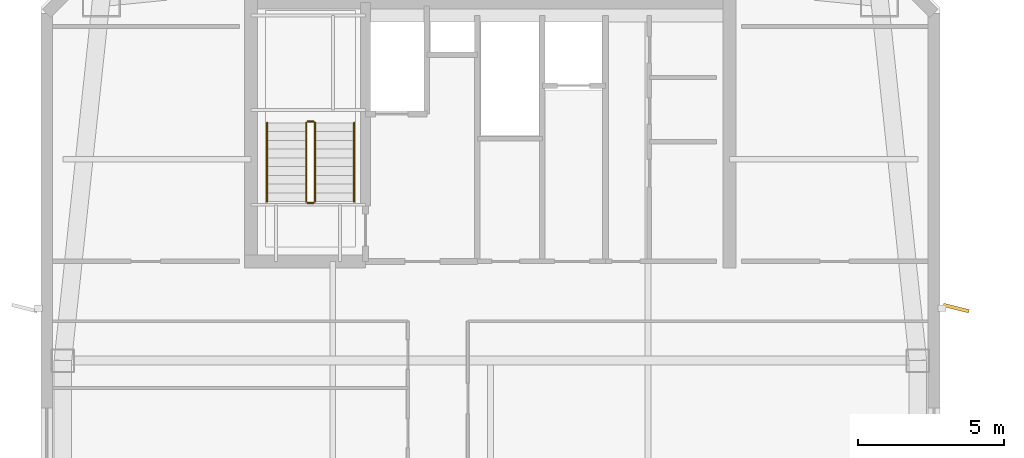
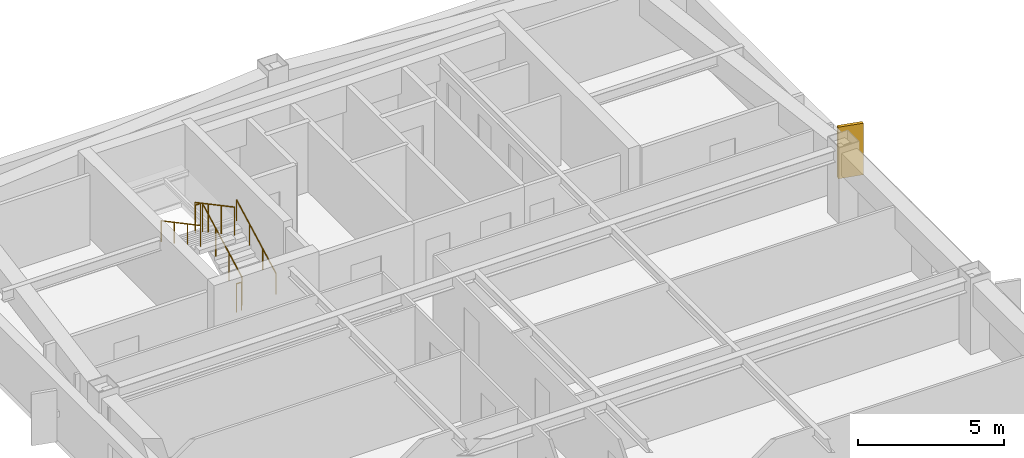
# One storey, part 7 of 7: 6 railings, 1 shading device.
"""IFC4 building model written with IfcOpenShell, lengths in metres."""

from ifc_helpers import new_model, si_unit, direction, frame, origin, origin_2d, place, context, subcontext, project, spatial, rectangle, circle, extrude, material, layer, layer_set, type_object, element, save


model = new_model("IFC4")

# Units and contexts
model_context = context("Model", 3, precision=1e-05, world=origin(), true_north=direction((0.0, 1.0)))
body_context = subcontext(model_context, "Body", "Model", "MODEL_VIEW")
ifc_project = project(units=[si_unit("LENGTHUNIT", "METRE"), si_unit("AREAUNIT", "SQUARE_METRE"), si_unit("VOLUMEUNIT", "CUBIC_METRE"), si_unit("PLANEANGLEUNIT", "RADIAN"), si_unit("MASSUNIT", "GRAM", prefix="KILO")], contexts=[model_context])

# Site, building, storey
site_placement = place(None, origin())
site = spatial("IfcSite", under=ifc_project, at=site_placement, CompositionType="ELEMENT")
building_placement = place(site_placement, origin())
building = spatial("IfcBuilding", under=site, at=building_placement, Name="Qiaolan Cultural Towers", CompositionType="ELEMENT")
storey_placement = place(building_placement, frame((0.0, 0.0, 256.800048828125)))
storey = spatial("IfcBuildingStorey", under=building, at=storey_placement, Name="L70", CompositionType="ELEMENT", Elevation=256.800048828125)

# Railings
ifc_material_1 = material(Name="Galvanized Painted Steel Stair Guardrail", Category="steel")
railing_type_1 = type_object("IfcRailingType", Name="RL-STAIR-GRD", PredefinedType="GUARDRAIL", material=ifc_material_1)
railing_1_placement = place(storey_placement, frame((23.989990234375, 48.449951171875, 0.159912109375)))
element("IfcRailing", 1, at=railing_1_placement, inside=storey, type_object=railing_type_1, Name="L70 ST-W2 stair guard 1", PredefinedType="GUARDRAIL", context=body_context, shape_type="SweptSolid", body=[
    extrude(circle(Radius=0.02392578125, at=origin_2d()), frame((0.0, 0.0, 1.17578125), z_axis=(0.0, 0.882357358376, 0.470579952952), x_axis=(-1.0, 0.0, 0.0)), (0.0, 0.0, 1.0), 3.059814453125),
    extrude(circle(Radius=0.02099609375, at=origin_2d()), origin(), (0.0, 0.0, 1.0), 1.15185546875),
    extrude(circle(Radius=0.02099609375, at=origin_2d()), frame((0.0, 0.89990234375, 0.47998046875)), (0.0, 0.0, 1.0), 1.15185546875),
    extrude(circle(Radius=0.02099609375, at=origin_2d()), frame((0.0, 1.800048828125, 0.9599609375)), (0.0, 0.0, 1.0), 1.15185546875),
    extrude(circle(Radius=0.02099609375, at=origin_2d()), frame((0.0, 2.699951171875, 1.43994140625)), (0.0, 0.0, 1.0), 1.15185546875),
])
railing_2_placement = place(storey_placement, frame((23.93994140625, 51.199951171875, 1.599853515625)))
element("IfcRailing", 2, at=railing_2_placement, inside=storey, type_object=railing_type_1, Name="L70 ST-W2 stair guard 2", PredefinedType="GUARDRAIL", context=body_context, shape_type="SweptSolid", body=[
    extrude(circle(Radius=0.02392578125, at=origin_2d()), frame((0.0, 0.0, 1.17578125), z_axis=(-1.0, 0.0, 0.0), x_axis=(0.0, -1.0, 0.0)), (0.0, 0.0, 1.0), 0.199951171875),
    extrude(circle(Radius=0.02099609375, at=origin_2d()), origin(), (0.0, 0.0, 1.0), 1.15185546875),
    extrude(circle(Radius=0.02099609375, at=origin_2d()), frame((-0.199951171875, 0.0, 0.0)), (0.0, 0.0, 1.0), 1.15185546875),
])
railing_3_placement = place(storey_placement, frame((23.68994140625, 51.14990234375, 1.760009765625)))
element("IfcRailing", 3, at=railing_3_placement, inside=storey, type_object=railing_type_1, Name="L70 ST-W2 stair guard 3", PredefinedType="GUARDRAIL", context=body_context, shape_type="SweptSolid", body=[
    extrude(circle(Radius=0.02392578125, at=origin_2d()), frame((0.0, 0.0, 1.17578125), z_axis=(0.0, -0.882357358376, 0.470579952952), x_axis=(1.0, 0.0, 0.0)), (0.0, 0.0, 1.0), 3.059814453125),
    extrude(circle(Radius=0.02099609375, at=origin_2d()), origin(), (0.0, 0.0, 1.0), 1.15185546875),
    extrude(circle(Radius=0.02099609375, at=origin_2d()), frame((0.0, -0.89990234375, 0.47998046875)), (0.0, 0.0, 1.0), 1.15185546875),
    extrude(circle(Radius=0.02099609375, at=origin_2d()), frame((0.0, -1.800048828125, 0.9599609375)), (0.0, 0.0, 1.0), 1.15185546875),
    extrude(circle(Radius=0.02099609375, at=origin_2d()), frame((0.0, -2.699951171875, 1.43994140625)), (0.0, 0.0, 1.0), 1.15185546875),
])
railing_4_placement = place(storey_placement, frame((23.93994140625, 48.39990234375, 0.0)))
element("IfcRailing", 4, at=railing_4_placement, inside=storey, type_object=railing_type_1, Name="L70 ST-W2 stair guard 4", PredefinedType="GUARDRAIL", context=body_context, shape_type="SweptSolid", body=[
    extrude(circle(Radius=0.02392578125, at=origin_2d()), frame((0.0, 0.0, 1.17578125), z_axis=(-1.0, 0.0, 0.0), x_axis=(0.0, -1.0, 0.0)), (0.0, 0.0, 1.0), 0.199951171875),
    extrude(circle(Radius=0.02099609375, at=origin_2d()), origin(), (0.0, 0.0, 1.0), 1.15185546875),
    extrude(circle(Radius=0.02099609375, at=origin_2d()), frame((-0.199951171875, 0.0, 0.0)), (0.0, 0.0, 1.0), 1.15185546875),
])
ifc_material_2 = material(Name="Stainless Steel S30408 Tubular Handrail", Category="steel")
railing_type_2 = type_object("IfcRailingType", Name="RL-STAIR-HR", PredefinedType="HANDRAIL", material=ifc_material_2)
railing_5_placement = place(storey_placement, frame((25.330078125, 48.449951171875, 0.159912109375)))
element("IfcRailing", 5, at=railing_5_placement, inside=storey, type_object=railing_type_2, Name="L70 ST-W2 stair handrail 1", PredefinedType="HANDRAIL", context=body_context, shape_type="SweptSolid", body=[
    extrude(circle(Radius=0.02392578125, at=origin_2d()), frame((0.0, 0.0, 0.8759765625), z_axis=(0.0, 0.882357358376, 0.470579952952), x_axis=(-1.0, 0.0, 0.0)), (0.0, 0.0, 1.0), 3.059814453125),
    extrude(circle(Radius=0.02099609375, at=origin_2d()), origin(), (0.0, 0.0, 1.0), 0.851806640625),
    extrude(circle(Radius=0.02099609375, at=origin_2d()), frame((0.0, 0.89990234375, 0.47998046875)), (0.0, 0.0, 1.0), 0.851806640625),
    extrude(circle(Radius=0.02099609375, at=origin_2d()), frame((0.0, 1.800048828125, 0.9599609375)), (0.0, 0.0, 1.0), 0.851806640625),
    extrude(circle(Radius=0.02099609375, at=origin_2d()), frame((0.0, 2.699951171875, 1.43994140625)), (0.0, 0.0, 1.0), 0.851806640625),
])
railing_6_placement = place(storey_placement, frame((22.35009765625, 51.14990234375, 1.760009765625)))
element("IfcRailing", 6, at=railing_6_placement, inside=storey, type_object=railing_type_2, Name="L70 ST-W2 stair handrail 2", PredefinedType="HANDRAIL", context=body_context, shape_type="SweptSolid", body=[
    extrude(circle(Radius=0.02392578125, at=origin_2d()), frame((0.0, 0.0, 0.8759765625), z_axis=(0.0, -0.882357358376, 0.470579952952), x_axis=(1.0, 0.0, 0.0)), (0.0, 0.0, 1.0), 3.059814453125),
    extrude(circle(Radius=0.02099609375, at=origin_2d()), origin(), (0.0, 0.0, 1.0), 0.851806640625),
    extrude(circle(Radius=0.02099609375, at=origin_2d()), frame((0.0, -0.89990234375, 0.47998046875)), (0.0, 0.0, 1.0), 0.851806640625),
    extrude(circle(Radius=0.02099609375, at=origin_2d()), frame((0.0, -1.800048828125, 0.9599609375)), (0.0, 0.0, 1.0), 0.851806640625),
    extrude(circle(Radius=0.02099609375, at=origin_2d()), frame((0.0, -2.699951171875, 1.43994140625)), (0.0, 0.0, 1.0), 0.851806640625),
])

# Shading device
ifc_material_3 = material(Name="Light Limestone Precast Vertical Fin", Category="masonry")
ifc_layer = layer(ifc_material_3, 0.1201171875)
ifc_layer_set = layer_set([ifc_layer], Name="Light Limestone Precast Vertical Fin")
shading_device_type = type_object("IfcShadingDeviceType", Name="SHD-FIN-WHITE", PredefinedType="USERDEFINED", material=ifc_layer_set)
shading_device_placement = place(storey_placement, frame((45.9599609375, 44.800048828125, 0.10009765625), z_axis=(0.0, 0.0, 1.0), x_axis=(0.969891617581, -0.243536958479, 0.0)))
element("IfcShadingDevice", 7, at=shading_device_placement, inside=storey, type_object=shading_device_type, Name="L70 T1 Expressive Precast Vertical Fin E3", ObjectType="FIN", PredefinedType="USERDEFINED", context=body_context, shape_type="SweptSolid", body=[
    extrude(rectangle(XDim=0.89990234375, YDim=0.1201171875, at=origin_2d()), origin(), (0.0, 0.0, 1.0), 2.159912109375),
])

save(model, "model.ifc")
